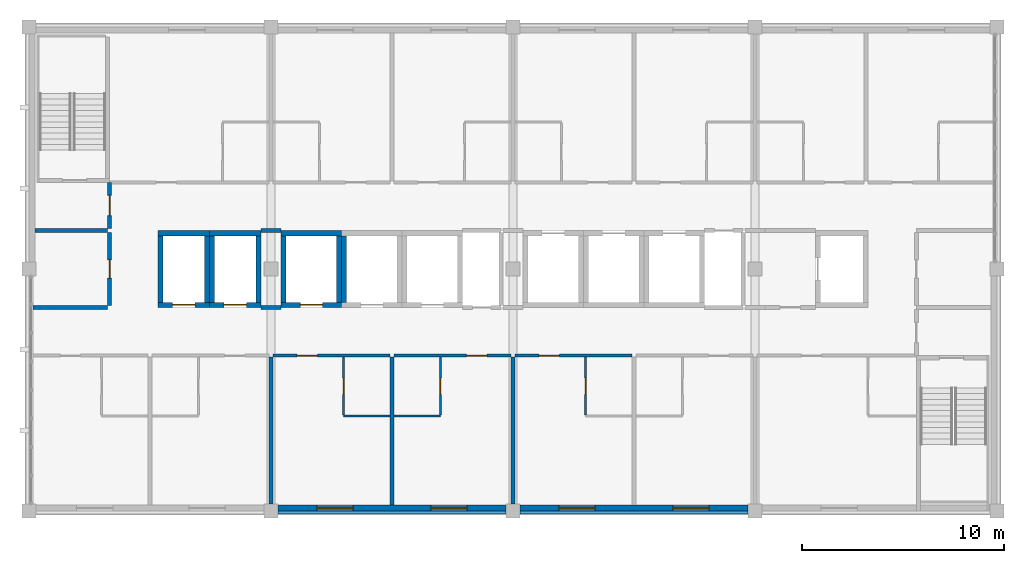
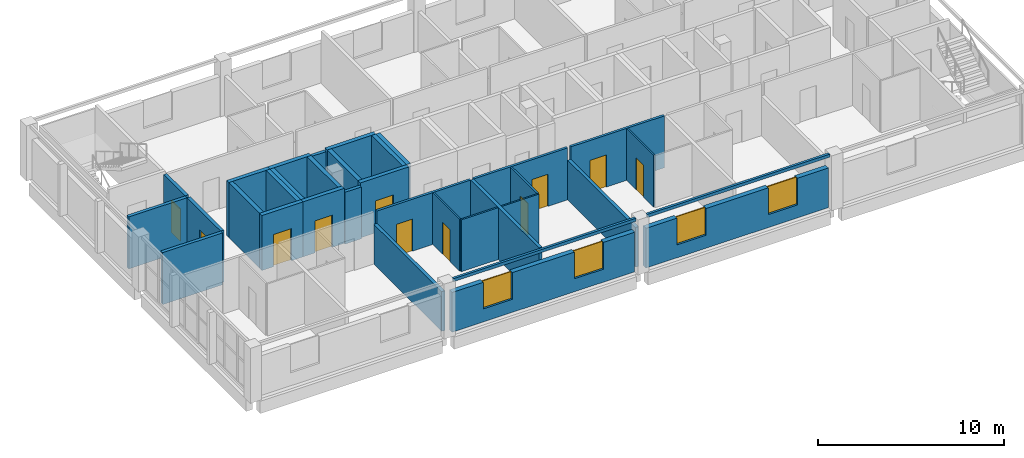
# One storey, part 6 of 11: 34 walls, 11 doors, 4 windows, 15 openings.
"""IFC4 building model written with IfcOpenShell, lengths in metres."""

from ifc_helpers import new_model, si_unit, direction, frame, frame_2d, origin, place, context, subcontext, project, spatial, rectangle, extrude, material, layer, layer_set, type_object, element, fill, save


model = new_model("IFC4")

# Units and contexts
model_context = context("Model", 3, precision=1e-05, world=origin(), true_north=direction((0.0, 1.0)))
body_context = subcontext(model_context, "Body", "Model", "MODEL_VIEW")
ifc_project = project(units=[si_unit("LENGTHUNIT", "METRE"), si_unit("AREAUNIT", "SQUARE_METRE"), si_unit("VOLUMEUNIT", "CUBIC_METRE"), si_unit("PLANEANGLEUNIT", "RADIAN"), si_unit("MASSUNIT", "GRAM", prefix="KILO")], contexts=[model_context])

# Site, building, storey
site_placement = place(None, origin())
site = spatial("IfcSite", under=ifc_project, at=site_placement, CompositionType="ELEMENT")
building_placement = place(site_placement, origin())
building = spatial("IfcBuilding", under=site, at=building_placement, Name="Lilac Gate Convention Centre", CompositionType="ELEMENT")
storey_placement = place(building_placement, frame((0.0, 0.0, 60.60009765625)))
storey = spatial("IfcBuildingStorey", under=building, at=storey_placement, Name="L15", CompositionType="ELEMENT", Elevation=60.60009765625)

# Wall, opening, door
ifc_material_1 = material(Name="Concrete C40", Category="concrete")
ifc_layer_1 = layer(ifc_material_1, 0.25)
ifc_layer_set_1 = layer_set([ifc_layer_1], Name="Concrete C40")
wall_type_1 = type_object("IfcWallType", Name="Core wall 250 C40", PredefinedType="SHEAR", material=ifc_layer_set_1)
wall_1_placement = place(storey_placement, frame((54.5, 232.22509765625, 0.0), z_axis=(0.0, 0.0, 1.0), x_axis=(1.0, 0.0, 0.0)))
wall_1 = element("IfcWall", 1, at=wall_1_placement, inside=storey, type_object=wall_type_1, Name="CRW5 core wall TC L15 1", PredefinedType="SHEAR", context=body_context, shape_type="SweptSolid", body=[
    extrude(rectangle(XDim=3.0, YDim=0.25, at=frame_2d((1.5, 0.0))), origin(), (0.0, 0.0, 1.0), 3.599853515625),
])
opening_1_placement = place(wall_1_placement, frame((0.949951171875, 0.0, 0.0)))
opening_1 = element("IfcOpeningElement", 2, at=opening_1_placement, cuts=wall_1, Name="Opening T15-036", PredefinedType="OPENING", context=body_context, shape_type="SweptSolid", body=[
    extrude(rectangle(XDim=1.10009765625, YDim=2.10009765625, at=frame_2d((0.550048828125, 1.050048828125))), frame((0.0, 0.135009765625, 0.0), z_axis=(0.0, -1.0, 0.0), x_axis=(1.0, 0.0, 0.0)), (0.0, 0.0, 1.0), 0.27001953125),
])
ifc_material_2 = material(Name="Stainless steel 304", Category="steel")
door_type_1 = type_object("IfcDoorType", Name="Lift landing door 1100", OperationType="SLIDING_TO_LEFT", PredefinedType="DOOR", material=ifc_material_2)
door_1_placement = place(opening_1_placement, origin())
door_1 = element("IfcDoor", 3, at=door_1_placement, inside=storey, type_object=door_type_1, Name="Lift landing door TP1 L15", OperationType="SLIDING_TO_LEFT", OverallHeight=2.10009765625, OverallWidth=1.10009765625, PredefinedType="DOOR", context=body_context, shape_type="SweptSolid", body=[
    extrude(rectangle(XDim=1.10009765625, YDim=2.10009765625, at=frame_2d((0.550048828125, 1.050048828125))), frame((0.0, 0.02490234375, 0.0), z_axis=(0.0, -1.0, 0.0), x_axis=(1.0, 0.0, 0.0)), (0.0, 0.0, 1.0), 0.050048828125),
])
fill(opening_1, door_1)

# Walls
wall_2_placement = place(storey_placement, frame((54.5, 235.77490234375, 0.0), z_axis=(0.0, 0.0, 1.0), x_axis=(1.0, 0.0, 0.0)))
element("IfcWall", 4, at=wall_2_placement, inside=storey, type_object=wall_type_1, Name="CRW5 core wall TC L15 2", PredefinedType="SHEAR", context=body_context, shape_type="SweptSolid", body=[
    extrude(rectangle(XDim=3.0, YDim=0.25, at=frame_2d((1.5, 0.0))), origin(), (0.0, 0.0, 1.0), 3.599853515625),
])
for number, where, z_axis, x_axis, name in (
    (5, (54.625, 232.35009765625, 0.0), (0.0, 0.0, 1.0), (0.0, 1.0, 0.0), "CRW5 core wall TC L15 3"),
    (6, (57.375, 232.35009765625, 0.0), (0.0, 0.0, 1.0), (0.0, 1.0, 0.0), "CRW5 core wall TC L15 4"),
    (7, (57.625, 232.35009765625, 0.0), (0.0, 0.0, 1.0), (0.0, 1.0, 0.0), "CRW5 core wall TC L15 7"),
):
    element("IfcWall", number, at=place(storey_placement, frame(where, z_axis=z_axis, x_axis=x_axis)), inside=storey, type_object=wall_type_1, Name=name, PredefinedType="SHEAR", context=body_context, shape_type="SweptSolid", body=[
        extrude(rectangle(XDim=3.2998046875, YDim=0.25, at=frame_2d((1.64990234375, 0.0))), origin(), (0.0, 0.0, 1.0), 3.599853515625),
    ])

# Wall, opening, door
wall_3_placement = place(storey_placement, frame((48.39990234375, 232.22509765625, 0.0), z_axis=(0.0, 0.0, 1.0), x_axis=(1.0, 0.0, 0.0)))
wall_3 = element("IfcWall", 8, at=wall_3_placement, inside=storey, type_object=wall_type_1, Name="CRW5 core wall TC L15 25", PredefinedType="SHEAR", context=body_context, shape_type="SweptSolid", body=[
    extrude(rectangle(XDim=2.550048828125, YDim=0.25, at=frame_2d((1.27490234375, 0.0))), origin(), (0.0, 0.0, 1.0), 3.599853515625),
])
opening_2_placement = place(wall_3_placement, frame((0.72509765625, 0.0, 0.0)))
opening_2 = element("IfcOpeningElement", 9, at=opening_2_placement, cuts=wall_3, Name="Opening T15-042", PredefinedType="OPENING", context=body_context, shape_type="SweptSolid", body=[
    extrude(rectangle(XDim=1.10009765625, YDim=2.10009765625, at=frame_2d((0.550048828125, 1.050048828125))), frame((0.0, 0.135009765625, 0.0), z_axis=(0.0, -1.0, 0.0), x_axis=(1.0, 0.0, 0.0)), (0.0, 0.0, 1.0), 0.27001953125),
])
door_2_placement = place(opening_2_placement, origin())
door_2 = element("IfcDoor", 10, at=door_2_placement, inside=storey, type_object=door_type_1, Name="Lift landing door TS1 L15", OperationType="SLIDING_TO_LEFT", OverallHeight=2.10009765625, OverallWidth=1.10009765625, PredefinedType="DOOR", context=body_context, shape_type="SweptSolid", body=[
    extrude(rectangle(XDim=1.10009765625, YDim=2.10009765625, at=frame_2d((0.550048828125, 1.050048828125))), frame((0.0, 0.02490234375, 0.0), z_axis=(0.0, -1.0, 0.0), x_axis=(1.0, 0.0, 0.0)), (0.0, 0.0, 1.0), 0.050048828125),
])
fill(opening_2, door_2)

# Walls
wall_4_placement = place(storey_placement, frame((48.39990234375, 235.77490234375, 0.0), z_axis=(0.0, 0.0, 1.0), x_axis=(1.0, 0.0, 0.0)))
element("IfcWall", 11, at=wall_4_placement, inside=storey, type_object=wall_type_1, Name="CRW5 core wall TC L15 26", PredefinedType="SHEAR", context=body_context, shape_type="SweptSolid", body=[
    extrude(rectangle(XDim=2.550048828125, YDim=0.25, at=frame_2d((1.27490234375, 0.0))), origin(), (0.0, 0.0, 1.0), 3.599853515625),
])
for number, where, z_axis, x_axis, name in (
    (12, (48.52490234375, 232.35009765625, 0.0), (0.0, 0.0, 1.0), (0.0, 1.0, 0.0), "CRW5 core wall TC L15 27"),
    (13, (50.824951171875, 232.35009765625, 0.0), (0.0, 0.0, 1.0), (0.0, 1.0, 0.0), "CRW5 core wall TC L15 28"),
):
    element("IfcWall", number, at=place(storey_placement, frame(where, z_axis=z_axis, x_axis=x_axis)), inside=storey, type_object=wall_type_1, Name=name, PredefinedType="SHEAR", context=body_context, shape_type="SweptSolid", body=[
        extrude(rectangle(XDim=3.2998046875, YDim=0.25, at=frame_2d((1.64990234375, 0.0))), origin(), (0.0, 0.0, 1.0), 3.599853515625),
    ])

# Wall, opening, door
wall_5_placement = place(storey_placement, frame((50.949951171875, 232.22509765625, 0.0), z_axis=(0.0, 0.0, 1.0), x_axis=(1.0, 0.0, 0.0)))
wall_5 = element("IfcWall", 14, at=wall_5_placement, inside=storey, type_object=wall_type_1, Name="CRW5 core wall TC L15 29", PredefinedType="SHEAR", context=body_context, shape_type="SweptSolid", body=[
    extrude(rectangle(XDim=2.550048828125, YDim=0.25, at=frame_2d((1.27490234375, 0.0))), origin(), (0.0, 0.0, 1.0), 3.599853515625),
])
opening_3_placement = place(wall_5_placement, frame((0.72509765625, 0.0, 0.0)))
opening_3 = element("IfcOpeningElement", 15, at=opening_3_placement, cuts=wall_5, Name="Opening T15-043", PredefinedType="OPENING", context=body_context, shape_type="SweptSolid", body=[
    extrude(rectangle(XDim=1.10009765625, YDim=2.10009765625, at=frame_2d((0.550048828125, 1.050048828125))), frame((0.0, 0.135009765625, 0.0), z_axis=(0.0, -1.0, 0.0), x_axis=(1.0, 0.0, 0.0)), (0.0, 0.0, 1.0), 0.27001953125),
])
door_3_placement = place(opening_3_placement, origin())
door_3 = element("IfcDoor", 16, at=door_3_placement, inside=storey, type_object=door_type_1, Name="Lift landing door TS2 L15", OperationType="SLIDING_TO_LEFT", OverallHeight=2.10009765625, OverallWidth=1.10009765625, PredefinedType="DOOR", context=body_context, shape_type="SweptSolid", body=[
    extrude(rectangle(XDim=1.10009765625, YDim=2.10009765625, at=frame_2d((0.550048828125, 1.050048828125))), frame((0.0, 0.02490234375, 0.0), z_axis=(0.0, -1.0, 0.0), x_axis=(1.0, 0.0, 0.0)), (0.0, 0.0, 1.0), 0.050048828125),
])
fill(opening_3, door_3)

# Walls
wall_6_placement = place(storey_placement, frame((50.949951171875, 235.77490234375, 0.0), z_axis=(0.0, 0.0, 1.0), x_axis=(1.0, 0.0, 0.0)))
element("IfcWall", 17, at=wall_6_placement, inside=storey, type_object=wall_type_1, Name="CRW5 core wall TC L15 30", PredefinedType="SHEAR", context=body_context, shape_type="SweptSolid", body=[
    extrude(rectangle(XDim=2.550048828125, YDim=0.25, at=frame_2d((1.27490234375, 0.0))), origin(), (0.0, 0.0, 1.0), 3.599853515625),
])
for number, where, z_axis, x_axis, name in (
    (18, (51.074951171875, 232.35009765625, 0.0), (0.0, 0.0, 1.0), (0.0, 1.0, 0.0), "CRW5 core wall TC L15 31"),
    (19, (53.375, 232.35009765625, 0.0), (0.0, 0.0, 1.0), (0.0, 1.0, 0.0), "CRW5 core wall TC L15 32"),
):
    element("IfcWall", number, at=place(storey_placement, frame(where, z_axis=z_axis, x_axis=x_axis)), inside=storey, type_object=wall_type_1, Name=name, PredefinedType="SHEAR", context=body_context, shape_type="SweptSolid", body=[
        extrude(rectangle(XDim=3.2998046875, YDim=0.25, at=frame_2d((1.64990234375, 0.0))), origin(), (0.0, 0.0, 1.0), 3.599853515625),
    ])

# Wall, opening, door
ifc_material_3 = material(Name="Gypsum board on steel stud", Category="steel")
ifc_layer_2 = layer(ifc_material_3, 0.14990234375)
ifc_layer_set_2 = layer_set([ifc_layer_2], Name="Gypsum board on steel stud")
wall_type_2 = type_object("IfcWallType", Name="Corridor wall 150", PredefinedType="PARTITIONING", material=ifc_layer_set_2)
wall_7_placement = place(storey_placement, frame((59.89990234375, 229.699951171875, 0.0), z_axis=(0.0, 0.0, 1.0), x_axis=(-1.0, 0.0, 0.0)))
wall_7 = element("IfcWall", 20, at=wall_7_placement, inside=storey, type_object=wall_type_2, Name="Corridor wall 150 front 1503", PredefinedType="PARTITIONING", context=body_context, shape_type="SweptSolid", body=[
    extrude(rectangle(XDim=5.7998046875, YDim=0.14990234375, at=frame_2d((2.89990234375, 0.0))), origin(), (0.0, 0.0, 1.0), 3.39990234375),
])
opening_4_placement = place(wall_7_placement, frame((3.60009765625, 0.0, 0.0)))
opening_4 = element("IfcOpeningElement", 21, at=opening_4_placement, cuts=wall_7, Name="Opening T15-012", PredefinedType="OPENING", context=body_context, shape_type="SweptSolid", body=[
    extrude(rectangle(XDim=1.0, YDim=2.10009765625, at=frame_2d((0.5, 1.050048828125))), frame((0.0, 0.0849609375, 0.0), z_axis=(0.0, -1.0, 0.0), x_axis=(1.0, 0.0, 0.0)), (0.0, 0.0, 1.0), 0.169921875),
])
ifc_material_4 = material(Name="Timber", Category="wood")
door_type_2 = type_object("IfcDoorType", Name="Guest room entrance door 1000", OperationType="SINGLE_SWING_LEFT", PredefinedType="DOOR", material=ifc_material_4)
door_4_placement = place(opening_4_placement, origin())
door_4 = element("IfcDoor", 22, at=door_4_placement, inside=storey, type_object=door_type_2, Name="Guest room door 1503", OperationType="SINGLE_SWING_RIGHT", OverallHeight=2.10009765625, OverallWidth=1.0, PredefinedType="DOOR", context=body_context, shape_type="SweptSolid", body=[
    extrude(rectangle(XDim=1.0, YDim=2.10009765625, at=frame_2d((0.5, 1.050048828125))), frame((0.0, 0.02490234375, 0.0), z_axis=(0.0, -1.0, 0.0), x_axis=(1.0, 0.0, 0.0)), (0.0, 0.0, 1.0), 0.050048828125),
])
fill(opening_4, door_4)

wall_8_placement = place(storey_placement, frame((65.89990234375, 229.699951171875, 0.0), z_axis=(0.0, 0.0, 1.0), x_axis=(-1.0, 0.0, 0.0)))
wall_8 = element("IfcWall", 23, at=wall_8_placement, inside=storey, type_object=wall_type_2, Name="Corridor wall 150 front 1504", PredefinedType="PARTITIONING", context=body_context, shape_type="SweptSolid", body=[
    extrude(rectangle(XDim=5.7998046875, YDim=0.14990234375, at=frame_2d((2.89990234375, 0.0))), origin(), (0.0, 0.0, 1.0), 3.39990234375),
])
opening_5_placement = place(wall_8_placement, frame((1.199951171875, 0.0, 0.0)))
opening_5 = element("IfcOpeningElement", 24, at=opening_5_placement, cuts=wall_8, Name="Opening T15-014", PredefinedType="OPENING", context=body_context, shape_type="SweptSolid", body=[
    extrude(rectangle(XDim=1.0, YDim=2.10009765625, at=frame_2d((0.5, 1.050048828125))), frame((0.0, 0.0849609375, 0.0), z_axis=(0.0, -1.0, 0.0), x_axis=(1.0, 0.0, 0.0)), (0.0, 0.0, 1.0), 0.169921875),
])
door_5_placement = place(opening_5_placement, origin())
door_5 = element("IfcDoor", 25, at=door_5_placement, inside=storey, type_object=door_type_2, Name="Guest room door 1504", OperationType="SINGLE_SWING_LEFT", OverallHeight=2.10009765625, OverallWidth=1.0, PredefinedType="DOOR", context=body_context, shape_type="SweptSolid", body=[
    extrude(rectangle(XDim=1.0, YDim=2.10009765625, at=frame_2d((0.5, 1.050048828125))), frame((0.0, 0.02490234375, 0.0), z_axis=(0.0, -1.0, 0.0), x_axis=(1.0, 0.0, 0.0)), (0.0, 0.0, 1.0), 0.050048828125),
])
fill(opening_5, door_5)

wall_9_placement = place(storey_placement, frame((71.89990234375, 229.699951171875, 0.0), z_axis=(0.0, 0.0, 1.0), x_axis=(-1.0, 0.0, 0.0)))
wall_9 = element("IfcWall", 26, at=wall_9_placement, inside=storey, type_object=wall_type_2, Name="Corridor wall 150 front 1505", PredefinedType="PARTITIONING", context=body_context, shape_type="SweptSolid", body=[
    extrude(rectangle(XDim=5.7998046875, YDim=0.14990234375, at=frame_2d((2.89990234375, 0.0))), origin(), (0.0, 0.0, 1.0), 3.39990234375),
])
opening_6_placement = place(wall_9_placement, frame((3.60009765625, 0.0, 0.0)))
opening_6 = element("IfcOpeningElement", 27, at=opening_6_placement, cuts=wall_9, Name="Opening T15-016", PredefinedType="OPENING", context=body_context, shape_type="SweptSolid", body=[
    extrude(rectangle(XDim=1.0, YDim=2.10009765625, at=frame_2d((0.5, 1.050048828125))), frame((0.0, 0.0849609375, 0.0), z_axis=(0.0, -1.0, 0.0), x_axis=(1.0, 0.0, 0.0)), (0.0, 0.0, 1.0), 0.169921875),
])
door_6_placement = place(opening_6_placement, origin())
door_6 = element("IfcDoor", 28, at=door_6_placement, inside=storey, type_object=door_type_2, Name="Guest room door 1505", OperationType="SINGLE_SWING_LEFT", OverallHeight=2.10009765625, OverallWidth=1.0, PredefinedType="DOOR", context=body_context, shape_type="SweptSolid", body=[
    extrude(rectangle(XDim=1.0, YDim=2.10009765625, at=frame_2d((0.5, 1.050048828125))), frame((0.0, 0.02490234375, 0.0), z_axis=(0.0, -1.0, 0.0), x_axis=(1.0, 0.0, 0.0)), (0.0, 0.0, 1.0), 0.050048828125),
])
fill(opening_6, door_6)

# Wall
ifc_layer_3 = layer(ifc_material_3, 0.10009765625)
ifc_layer_set_3 = layer_set([ifc_layer_3], Name="Gypsum board on steel stud")
wall_type_3 = type_object("IfcWallType", Name="En-suite wall 100", PredefinedType="PARTITIONING", material=ifc_layer_set_3)
wall_10_placement = place(storey_placement, frame((57.60009765625, 226.699951171875, 0.0), z_axis=(0.0, 0.0, 1.0), x_axis=(1.0, 0.0, 0.0)))
element("IfcWall", 29, at=wall_10_placement, inside=storey, type_object=wall_type_3, Name="En-suite wall 100 bath 1503", PredefinedType="PARTITIONING", context=body_context, shape_type="SweptSolid", body=[
    extrude(rectangle(XDim=2.2998046875, YDim=0.10009765625, at=frame_2d((1.14990234375, 0.0))), origin(), (0.0, 0.0, 1.0), 3.39990234375),
])

# Wall, opening, door
wall_11_placement = place(storey_placement, frame((57.60009765625, 226.75, 0.0), z_axis=(0.0, 0.0, 1.0), x_axis=(0.0, 1.0, 0.0)))
wall_11 = element("IfcWall", 30, at=wall_11_placement, inside=storey, type_object=wall_type_3, Name="En-suite wall 100 bath side 1503", PredefinedType="PARTITIONING", context=body_context, shape_type="SweptSolid", body=[
    extrude(rectangle(XDim=2.875, YDim=0.10009765625, at=frame_2d((1.4375, 0.0))), origin(), (0.0, 0.0, 1.0), 3.39990234375),
])
opening_7_placement = place(wall_11_placement, frame((1.03759765625, 0.0, 0.0)))
opening_7 = element("IfcOpeningElement", 31, at=opening_7_placement, cuts=wall_11, Name="Opening T15-013", PredefinedType="OPENING", context=body_context, shape_type="SweptSolid", body=[
    extrude(rectangle(XDim=0.800048828125, YDim=2.10009765625, at=frame_2d((0.39990234375, 1.050048828125))), frame((0.0, 0.06005859375, 0.0), z_axis=(0.0, -1.0, 0.0), x_axis=(1.0, 0.0, 0.0)), (0.0, 0.0, 1.0), 0.1201171875),
])
door_type_3 = type_object("IfcDoorType", Name="En-suite door 800", OperationType="SINGLE_SWING_LEFT", PredefinedType="DOOR", material=ifc_material_4)
door_7_placement = place(opening_7_placement, origin())
door_7 = element("IfcDoor", 32, at=door_7_placement, inside=storey, type_object=door_type_3, Name="En-suite door 1503", OperationType="SINGLE_SWING_RIGHT", OverallHeight=2.10009765625, OverallWidth=0.800048828125, PredefinedType="DOOR", context=body_context, shape_type="SweptSolid", body=[
    extrude(rectangle(XDim=0.800048828125, YDim=2.10009765625, at=frame_2d((0.39990234375, 1.050048828125))), frame((0.0, 0.02490234375, 0.0), z_axis=(0.0, -1.0, 0.0), x_axis=(1.0, 0.0, 0.0)), (0.0, 0.0, 1.0), 0.050048828125),
])
fill(opening_7, door_7)

# Wall
wall_12_placement = place(storey_placement, frame((60.10009765625, 226.699951171875, 0.0), z_axis=(0.0, 0.0, 1.0), x_axis=(1.0, 0.0, 0.0)))
element("IfcWall", 33, at=wall_12_placement, inside=storey, type_object=wall_type_3, Name="En-suite wall 100 bath 1504", PredefinedType="PARTITIONING", context=body_context, shape_type="SweptSolid", body=[
    extrude(rectangle(XDim=2.2998046875, YDim=0.10009765625, at=frame_2d((1.14990234375, 0.0))), origin(), (0.0, 0.0, 1.0), 3.39990234375),
])

# Wall, opening, door
wall_13_placement = place(storey_placement, frame((62.39990234375, 229.625, 0.0), z_axis=(0.0, 0.0, 1.0), x_axis=(0.0, -1.0, 0.0)))
wall_13 = element("IfcWall", 34, at=wall_13_placement, inside=storey, type_object=wall_type_3, Name="En-suite wall 100 bath side 1504", PredefinedType="PARTITIONING", context=body_context, shape_type="SweptSolid", body=[
    extrude(rectangle(XDim=2.875, YDim=0.10009765625, at=frame_2d((1.4375, 0.0))), origin(), (0.0, 0.0, 1.0), 3.39990234375),
])
opening_8_placement = place(wall_13_placement, frame((1.03759765625, 0.0, 0.0)))
opening_8 = element("IfcOpeningElement", 35, at=opening_8_placement, cuts=wall_13, Name="Opening T15-015", PredefinedType="OPENING", context=body_context, shape_type="SweptSolid", body=[
    extrude(rectangle(XDim=0.800048828125, YDim=2.10009765625, at=frame_2d((0.39990234375, 1.050048828125))), frame((0.0, 0.06005859375, 0.0), z_axis=(0.0, -1.0, 0.0), x_axis=(1.0, 0.0, 0.0)), (0.0, 0.0, 1.0), 0.1201171875),
])
door_8_placement = place(opening_8_placement, origin())
door_8 = element("IfcDoor", 36, at=door_8_placement, inside=storey, type_object=door_type_3, Name="En-suite door 1504", OperationType="SINGLE_SWING_LEFT", OverallHeight=2.10009765625, OverallWidth=0.800048828125, PredefinedType="DOOR", context=body_context, shape_type="SweptSolid", body=[
    extrude(rectangle(XDim=0.800048828125, YDim=2.10009765625, at=frame_2d((0.39990234375, 1.050048828125))), frame((0.0, 0.02490234375, 0.0), z_axis=(0.0, -1.0, 0.0), x_axis=(1.0, 0.0, 0.0)), (0.0, 0.0, 1.0), 0.050048828125),
])
fill(opening_8, door_8)

wall_14_placement = place(storey_placement, frame((69.60009765625, 226.75, 0.0), z_axis=(0.0, 0.0, 1.0), x_axis=(0.0, 1.0, 0.0)))
wall_14 = element("IfcWall", 37, at=wall_14_placement, inside=storey, type_object=wall_type_3, Name="En-suite wall 100 bath side 1505", PredefinedType="PARTITIONING", context=body_context, shape_type="SweptSolid", body=[
    extrude(rectangle(XDim=2.875, YDim=0.10009765625, at=frame_2d((1.4375, 0.0))), origin(), (0.0, 0.0, 1.0), 3.39990234375),
])
opening_9_placement = place(wall_14_placement, frame((1.03759765625, 0.0, 0.0)))
opening_9 = element("IfcOpeningElement", 38, at=opening_9_placement, cuts=wall_14, Name="Opening T15-017", PredefinedType="OPENING", context=body_context, shape_type="SweptSolid", body=[
    extrude(rectangle(XDim=0.800048828125, YDim=2.10009765625, at=frame_2d((0.39990234375, 1.050048828125))), frame((0.0, 0.06005859375, 0.0), z_axis=(0.0, -1.0, 0.0), x_axis=(1.0, 0.0, 0.0)), (0.0, 0.0, 1.0), 0.1201171875),
])
door_9_placement = place(opening_9_placement, origin())
door_9 = element("IfcDoor", 39, at=door_9_placement, inside=storey, type_object=door_type_3, Name="En-suite door 1505", OperationType="SINGLE_SWING_RIGHT", OverallHeight=2.10009765625, OverallWidth=0.800048828125, PredefinedType="DOOR", context=body_context, shape_type="SweptSolid", body=[
    extrude(rectangle(XDim=0.800048828125, YDim=2.10009765625, at=frame_2d((0.39990234375, 1.050048828125))), frame((0.0, 0.02490234375, 0.0), z_axis=(0.0, -1.0, 0.0), x_axis=(1.0, 0.0, 0.0)), (0.0, 0.0, 1.0), 0.050048828125),
])
fill(opening_9, door_9)

# Walls
ifc_layer_4 = layer(ifc_material_3, 0.199951171875)
ifc_layer_set_4 = layer_set([ifc_layer_4], Name="Gypsum board on steel stud")
wall_type_4 = type_object("IfcWallType", Name="Guest room party wall 200", PredefinedType="PARTITIONING", material=ifc_layer_set_4)
wall_15_placement = place(storey_placement, frame((54.0, 222.35009765625, 0.0), z_axis=(0.0, 0.0, 1.0), x_axis=(0.0, 1.0, 0.0)))
element("IfcWall", 40, at=wall_15_placement, inside=storey, type_object=wall_type_4, Name="Guest room party wall 200 party 54.0", PredefinedType="PARTITIONING", context=body_context, shape_type="SweptSolid", body=[
    extrude(rectangle(XDim=7.27490234375, YDim=0.199951171875, at=frame_2d((3.637451171875, 0.0))), origin(), (0.0, 0.0, 1.0), 2.599853515625),
])
wall_16_placement = place(storey_placement, frame((60.0, 222.2998046875, 0.0), z_axis=(0.0, 0.0, 1.0), x_axis=(0.0, 1.0, 0.0)))
element("IfcWall", 41, at=wall_16_placement, inside=storey, type_object=wall_type_4, Name="Guest room party wall 200 party 60.0", PredefinedType="PARTITIONING", context=body_context, shape_type="SweptSolid", body=[
    extrude(rectangle(XDim=7.3251953125, YDim=0.199951171875, at=frame_2d((3.66259765625, 0.0))), origin(), (0.0, 0.0, 1.0), 3.39990234375),
])
wall_17_placement = place(storey_placement, frame((66.0, 222.35009765625, 0.0), z_axis=(0.0, 0.0, 1.0), x_axis=(0.0, 1.0, 0.0)))
element("IfcWall", 42, at=wall_17_placement, inside=storey, type_object=wall_type_4, Name="Guest room party wall 200 party 66.0", PredefinedType="PARTITIONING", context=body_context, shape_type="SweptSolid", body=[
    extrude(rectangle(XDim=7.27490234375, YDim=0.199951171875, at=frame_2d((3.637451171875, 0.0))), origin(), (0.0, 0.0, 1.0), 2.599853515625),
])

# Wall, opening, door
ifc_layer_5 = layer(ifc_material_3, 0.199951171875)
ifc_layer_set_5 = layer_set([ifc_layer_5], Name="Gypsum board on steel stud")
wall_type_5 = type_object("IfcWallType", Name="Lobby wall 200", PredefinedType="PARTITIONING", material=ifc_layer_set_5)
wall_18_placement = place(storey_placement, frame((46.0, 236.0, 0.0), z_axis=(0.0, 0.0, 1.0), x_axis=(0.0, 1.0, 0.0)))
wall_18 = element("IfcWall", 43, at=wall_18_placement, inside=storey, type_object=wall_type_5, Name="Lobby wall 200 STL-NW-E", PredefinedType="PARTITIONING", context=body_context, shape_type="SweptSolid", body=[
    extrude(rectangle(XDim=2.300048828125, YDim=0.199951171875, at=frame_2d((1.14990234375, 0.0))), origin(), (0.0, 0.0, 1.0), 3.39990234375),
])
opening_10_placement = place(wall_18_placement, frame((0.64990234375, 0.0, 0.0)))
opening_10 = element("IfcOpeningElement", 44, at=opening_10_placement, cuts=wall_18, Name="Opening T15-006", PredefinedType="OPENING", context=body_context, shape_type="SweptSolid", body=[
    extrude(rectangle(XDim=1.0, YDim=2.10009765625, at=frame_2d((0.5, 1.050048828125))), frame((0.0, 0.10986328125, 0.0), z_axis=(0.0, -1.0, 0.0), x_axis=(1.0, 0.0, 0.0)), (0.0, 0.0, 1.0), 0.219970703125),
])
ifc_material_5 = material(Name="Steel Q235B", Category="steel")
door_type_4 = type_object("IfcDoorType", Name="Lobby door 1000", OperationType="SINGLE_SWING_LEFT", PredefinedType="DOOR", material=ifc_material_5)
door_10_placement = place(opening_10_placement, origin())
door_10 = element("IfcDoor", 45, at=door_10_placement, inside=storey, type_object=door_type_4, Name="Stair lobby door NW", OperationType="SINGLE_SWING_LEFT", OverallHeight=2.10009765625, OverallWidth=1.0, PredefinedType="DOOR", context=body_context, shape_type="SweptSolid", body=[
    extrude(rectangle(XDim=1.0, YDim=2.10009765625, at=frame_2d((0.5, 1.050048828125))), frame((0.0, 0.02490234375, 0.0), z_axis=(0.0, -1.0, 0.0), x_axis=(1.0, 0.0, 0.0)), (0.0, 0.0, 1.0), 0.050048828125),
])
fill(opening_10, door_10)

# Walls
ifc_material_6 = material(Name="Concrete C40 precast", Category="concrete")
ifc_layer_6 = layer(ifc_material_6, 0.1298828125)
ifc_material_7 = material(Name="Terracotta glazed cladding", Category="masonry")
ifc_layer_7 = layer(ifc_material_7, 0.02001953125)
ifc_layer_set_6 = layer_set([ifc_layer_6, ifc_layer_7], Name="Concrete C40 precast, Terracotta glazed cladding")
wall_type_6 = type_object("IfcWallType", Name="Precast band terracotta 150", PredefinedType="STANDARD", material=ifc_layer_set_6)
for number, where, z_axis, x_axis, name in (
    (46, (54.35009765625, 221.925048828125, 3.39990234375), (0.0, 0.0, 1.0), (1.0, 0.0, 0.0), "Precast band S L15 2"),
    (47, (66.35009765625, 221.925048828125, 3.39990234375), (0.0, 0.0, 1.0), (1.0, 0.0, 0.0), "Precast band S L15 3"),
):
    element("IfcWall", number, at=place(storey_placement, frame(where, z_axis=z_axis, x_axis=x_axis)), inside=storey, type_object=wall_type_6, Name=name, PredefinedType="STANDARD", context=body_context, shape_type="SweptSolid", body=[
        extrude(rectangle(XDim=11.2998046875, YDim=0.14990234375, at=frame_2d((5.64990234375, 0.0))), origin(), (0.0, 0.0, 1.0), 0.199951171875),
    ])

# Wall, openings, windows
ifc_material_8 = material(Name="Ochre mineral render")
ifc_layer_8 = layer(ifc_material_8, 0.02001953125)
ifc_layer_9 = layer(ifc_material_6, 0.06005859375)
ifc_material_9 = material(Name="Ventilated air cavity")
ifc_layer_10 = layer(ifc_material_9, 0.030029296875)
ifc_material_10 = material(Name="Mineral wool insulation")
ifc_layer_11 = layer(ifc_material_10, 0.1201171875)
ifc_material_11 = material(Name="Steel stud Q345 and gypsum lining", Category="steel")
ifc_layer_12 = layer(ifc_material_11, 0.070068359375)
ifc_layer_set_7 = layer_set([ifc_layer_8, ifc_layer_9, ifc_layer_10, ifc_layer_11, ifc_layer_12], Name="Ochre mineral render, Concrete C40 precast, Ventilated air cavity, Mineral wool insulation, Steel stud Q345 and gypsum lining")
wall_type_7 = type_object("IfcWallType", Name="Precast panel wall ochre 300", PredefinedType="STANDARD", material=ifc_layer_set_7)
wall_19_placement = place(storey_placement, frame((54.35009765625, 222.14990234375, 0.0), z_axis=(0.0, 0.0, 1.0), x_axis=(1.0, 0.0, 0.0)))
wall_19 = element("IfcWall", 48, at=wall_19_placement, inside=storey, type_object=wall_type_7, Name="External wall S L15 2", PredefinedType="STANDARD", context=body_context, shape_type="SweptSolid", body=[
    extrude(rectangle(XDim=11.2998046875, YDim=0.300048828125, at=frame_2d((5.64990234375, 0.0))), origin(), (0.0, 0.0, 1.0), 2.599853515625),
])
opening_11_placement = place(wall_19_placement, frame((1.925048828125, 0.0, 0.85009765625)))
opening_11 = element("IfcOpeningElement", 49, at=opening_11_placement, cuts=wall_19, Name="Opening W1", PredefinedType="OPENING", context=body_context, shape_type="SweptSolid", body=[
    extrude(rectangle(XDim=1.800048828125, YDim=1.75, at=frame_2d((0.89990234375, 0.875))), frame((0.0, 0.159912109375, 0.0), z_axis=(0.0, -1.0, 0.0), x_axis=(1.0, 0.0, 0.0)), (0.0, 0.0, 1.0), 0.320068359375),
])
opening_12_placement = place(wall_19_placement, frame((7.574951171875, 0.0, 0.85009765625)))
opening_12 = element("IfcOpeningElement", 50, at=opening_12_placement, cuts=wall_19, Name="Opening W1", PredefinedType="OPENING", context=body_context, shape_type="SweptSolid", body=[
    extrude(rectangle(XDim=1.800048828125, YDim=1.75, at=frame_2d((0.89990234375, 0.875))), frame((0.0, 0.159912109375, 0.0), z_axis=(0.0, -1.0, 0.0), x_axis=(1.0, 0.0, 0.0)), (0.0, 0.0, 1.0), 0.320068359375),
])
ifc_material_12 = material(Name="Aluminium framed double glazing", Category="aluminium")
window_type = type_object("IfcWindowType", Name="Guest room window 1800 x 1750", PartitioningType="DOUBLE_PANEL_VERTICAL", PredefinedType="WINDOW", material=ifc_material_12)
window_1_placement = place(opening_11_placement, origin())
window_1 = element("IfcWindow", 51, at=window_1_placement, inside=storey, type_object=window_type, Name="Window Guest S L15", OverallHeight=1.75, OverallWidth=1.800048828125, PartitioningType="SINGLE_PANEL", PredefinedType="WINDOW", context=body_context, shape_type="SweptSolid", body=[
    extrude(rectangle(XDim=1.800048828125, YDim=1.75, at=frame_2d((0.89990234375, 0.875))), frame((0.0, 0.030029296875, 0.0), z_axis=(0.0, -1.0, 0.0), x_axis=(1.0, 0.0, 0.0)), (0.0, 0.0, 1.0), 0.06005859375),
])
fill(opening_11, window_1)
window_2_placement = place(opening_12_placement, origin())
window_2 = element("IfcWindow", 52, at=window_2_placement, inside=storey, type_object=window_type, Name="Window Guest S L15", OverallHeight=1.75, OverallWidth=1.800048828125, PartitioningType="SINGLE_PANEL", PredefinedType="WINDOW", context=body_context, shape_type="SweptSolid", body=[
    extrude(rectangle(XDim=1.800048828125, YDim=1.75, at=frame_2d((0.89990234375, 0.875))), frame((0.0, 0.030029296875, 0.0), z_axis=(0.0, -1.0, 0.0), x_axis=(1.0, 0.0, 0.0)), (0.0, 0.0, 1.0), 0.06005859375),
])
fill(opening_12, window_2)

wall_20_placement = place(storey_placement, frame((66.35009765625, 222.14990234375, 0.0), z_axis=(0.0, 0.0, 1.0), x_axis=(1.0, 0.0, 0.0)))
wall_20 = element("IfcWall", 53, at=wall_20_placement, inside=storey, type_object=wall_type_7, Name="External wall S L15 3", PredefinedType="STANDARD", context=body_context, shape_type="SweptSolid", body=[
    extrude(rectangle(XDim=11.2998046875, YDim=0.300048828125, at=frame_2d((5.64990234375, 0.0))), origin(), (0.0, 0.0, 1.0), 2.599853515625),
])
opening_13_placement = place(wall_20_placement, frame((1.925048828125, 0.0, 0.85009765625)))
opening_13 = element("IfcOpeningElement", 54, at=opening_13_placement, cuts=wall_20, Name="Opening W1", PredefinedType="OPENING", context=body_context, shape_type="SweptSolid", body=[
    extrude(rectangle(XDim=1.800048828125, YDim=1.75, at=frame_2d((0.89990234375, 0.875))), frame((0.0, 0.159912109375, 0.0), z_axis=(0.0, -1.0, 0.0), x_axis=(1.0, 0.0, 0.0)), (0.0, 0.0, 1.0), 0.320068359375),
])
opening_14_placement = place(wall_20_placement, frame((7.574951171875, 0.0, 0.85009765625)))
opening_14 = element("IfcOpeningElement", 55, at=opening_14_placement, cuts=wall_20, Name="Opening W1", PredefinedType="OPENING", context=body_context, shape_type="SweptSolid", body=[
    extrude(rectangle(XDim=1.800048828125, YDim=1.75, at=frame_2d((0.89990234375, 0.875))), frame((0.0, 0.159912109375, 0.0), z_axis=(0.0, -1.0, 0.0), x_axis=(1.0, 0.0, 0.0)), (0.0, 0.0, 1.0), 0.320068359375),
])
window_3_placement = place(opening_13_placement, origin())
window_3 = element("IfcWindow", 56, at=window_3_placement, inside=storey, type_object=window_type, Name="Window Guest S L15", OverallHeight=1.75, OverallWidth=1.800048828125, PartitioningType="SINGLE_PANEL", PredefinedType="WINDOW", context=body_context, shape_type="SweptSolid", body=[
    extrude(rectangle(XDim=1.800048828125, YDim=1.75, at=frame_2d((0.89990234375, 0.875))), frame((0.0, 0.030029296875, 0.0), z_axis=(0.0, -1.0, 0.0), x_axis=(1.0, 0.0, 0.0)), (0.0, 0.0, 1.0), 0.06005859375),
])
fill(opening_13, window_3)
window_4_placement = place(opening_14_placement, origin())
window_4 = element("IfcWindow", 57, at=window_4_placement, inside=storey, type_object=window_type, Name="Window Guest S L15", OverallHeight=1.75, OverallWidth=1.800048828125, PartitioningType="SINGLE_PANEL", PredefinedType="WINDOW", context=body_context, shape_type="SweptSolid", body=[
    extrude(rectangle(XDim=1.800048828125, YDim=1.75, at=frame_2d((0.89990234375, 0.875))), frame((0.0, 0.030029296875, 0.0), z_axis=(0.0, -1.0, 0.0), x_axis=(1.0, 0.0, 0.0)), (0.0, 0.0, 1.0), 0.06005859375),
])
fill(opening_14, window_4)

# Walls
ifc_layer_13 = layer(ifc_material_3, 0.199951171875)
ifc_layer_set_8 = layer_set([ifc_layer_13], Name="Gypsum board on steel stud")
wall_type_8 = type_object("IfcWallType", Name="Riser and store wall 200", PredefinedType="PARTITIONING", material=ifc_layer_set_8)
wall_21_placement = place(storey_placement, frame((42.2001953125, 232.10009765625, 0.0), z_axis=(0.0, 0.0, 1.0), x_axis=(1.0, 0.0, 0.0)))
element("IfcWall", 58, at=wall_21_placement, inside=storey, type_object=wall_type_8, Name="Riser and store wall 200 HKW-S", PredefinedType="PARTITIONING", context=body_context, shape_type="SweptSolid", body=[
    extrude(rectangle(XDim=3.69970703125, YDim=0.199951171875, at=frame_2d((1.849853515625, 0.0))), origin(), (0.0, 0.0, 1.0), 3.39990234375),
])
wall_22_placement = place(storey_placement, frame((53.5, 232.10009765625, 0.0), z_axis=(0.0, 0.0, 1.0), x_axis=(1.0, 0.0, 0.0)))
element("IfcWall", 59, at=wall_22_placement, inside=storey, type_object=wall_type_8, Name="Riser and store wall 200 NICHE1-S", PredefinedType="PARTITIONING", context=body_context, shape_type="SweptSolid", body=[
    extrude(rectangle(XDim=1.0, YDim=0.199951171875, at=frame_2d((0.5, 0.0))), origin(), (0.0, 0.0, 1.0), 3.39990234375),
])
wall_23_placement = place(storey_placement, frame((42.2998046875, 235.89990234375, 0.0), z_axis=(0.0, 0.0, 1.0), x_axis=(1.0, 0.0, 0.0)))
element("IfcWall", 60, at=wall_23_placement, inside=storey, type_object=wall_type_8, Name="Riser and store wall 200 HKW-N", PredefinedType="PARTITIONING", context=body_context, shape_type="SweptSolid", body=[
    extrude(rectangle(XDim=3.60009765625, YDim=0.199951171875, at=frame_2d((1.800048828125, 0.0))), origin(), (0.0, 0.0, 1.0), 3.39990234375),
])
wall_24_placement = place(storey_placement, frame((53.5, 235.89990234375, 0.0), z_axis=(0.0, 0.0, 1.0), x_axis=(1.0, 0.0, 0.0)))
element("IfcWall", 61, at=wall_24_placement, inside=storey, type_object=wall_type_8, Name="Riser and store wall 200 NICHE1-N", PredefinedType="PARTITIONING", context=body_context, shape_type="SweptSolid", body=[
    extrude(rectangle(XDim=1.0, YDim=0.199951171875, at=frame_2d((0.5, 0.0))), origin(), (0.0, 0.0, 1.0), 3.39990234375),
])

# Wall, opening, door
wall_25_placement = place(storey_placement, frame((46.0, 232.199951171875, 0.0), z_axis=(0.0, 0.0, 1.0), x_axis=(0.0, 1.0, 0.0)))
wall_25 = element("IfcWall", 62, at=wall_25_placement, inside=storey, type_object=wall_type_8, Name="Riser and store wall 200 HKW-E", PredefinedType="PARTITIONING", context=body_context, shape_type="SweptSolid", body=[
    extrude(rectangle(XDim=3.60009765625, YDim=0.199951171875, at=frame_2d((1.800048828125, 0.0))), origin(), (0.0, 0.0, 1.0), 3.39990234375),
])
opening_15_placement = place(wall_25_placement, frame((1.35009765625, 0.0, 0.0)))
opening_15 = element("IfcOpeningElement", 63, at=opening_15_placement, cuts=wall_25, Name="Opening T15-001", PredefinedType="OPENING", context=body_context, shape_type="SweptSolid", body=[
    extrude(rectangle(XDim=0.89990234375, YDim=2.10009765625, at=frame_2d((0.449951171875, 1.050048828125))), frame((0.0, 0.10986328125, 0.0), z_axis=(0.0, -1.0, 0.0), x_axis=(1.0, 0.0, 0.0)), (0.0, 0.0, 1.0), 0.219970703125),
])
door_type_5 = type_object("IfcDoorType", Name="Riser and store door 900", OperationType="SINGLE_SWING_LEFT", PredefinedType="DOOR", material=ifc_material_5)
door_11_placement = place(opening_15_placement, origin())
door_11 = element("IfcDoor", 64, at=door_11_placement, inside=storey, type_object=door_type_5, Name="Housekeeping door", OperationType="SINGLE_SWING_LEFT", OverallHeight=2.10009765625, OverallWidth=0.89990234375, PredefinedType="DOOR", context=body_context, shape_type="SweptSolid", body=[
    extrude(rectangle(XDim=0.89990234375, YDim=2.10009765625, at=frame_2d((0.449951171875, 1.050048828125))), frame((0.0, 0.02490234375, 0.0), z_axis=(0.0, -1.0, 0.0), x_axis=(1.0, 0.0, 0.0)), (0.0, 0.0, 1.0), 0.050048828125),
])
fill(opening_15, door_11)

save(model, "model.ifc")
